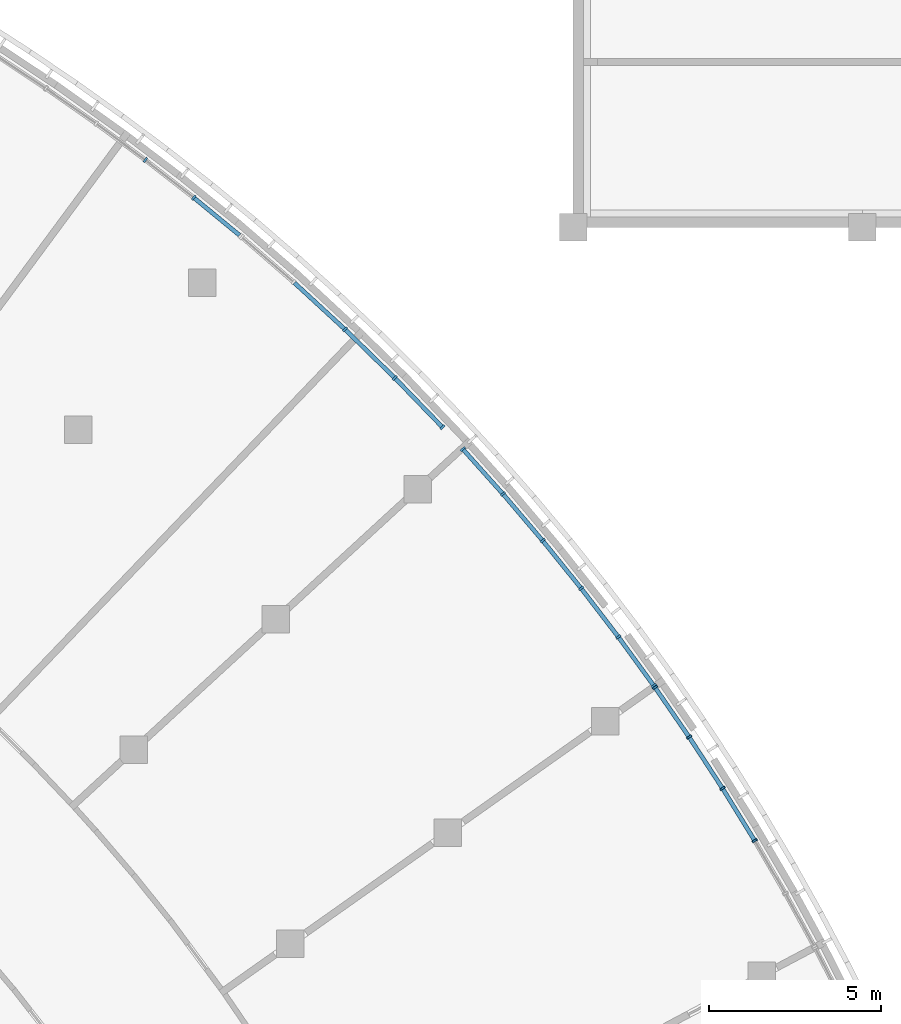
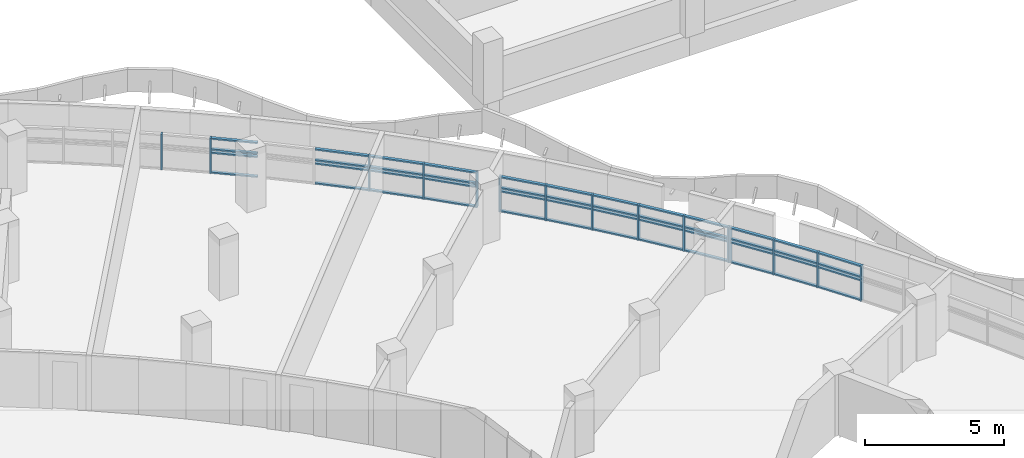
# One storey, part 22 of 89: 63 members, 4 elements without a shape of their own.
"""IFC4 building model written with IfcOpenShell, lengths in metres."""

from ifc_helpers import new_model, si_unit, direction, frame, origin, origin_2d, place, context, subcontext, project, spatial, rectangle, extrude, material, material_profile, profile_set, type_object, element, aggregate, save


model = new_model("IFC4")

# Units and contexts
model_context = context("Model", 3, precision=1e-05, world=origin(), true_north=direction((0.0, 1.0)))
body_context = subcontext(model_context, "Body", "Model", "MODEL_VIEW")
ifc_project = project(units=[si_unit("LENGTHUNIT", "METRE"), si_unit("AREAUNIT", "SQUARE_METRE"), si_unit("VOLUMEUNIT", "CUBIC_METRE"), si_unit("PLANEANGLEUNIT", "RADIAN"), si_unit("MASSUNIT", "GRAM", prefix="KILO")], contexts=[model_context])

# Site, building, storey
site_placement = place(None, origin())
site = spatial("IfcSite", under=ifc_project, at=site_placement, CompositionType="ELEMENT")
building_placement = place(site_placement, origin())
building = spatial("IfcBuilding", under=site, at=building_placement, Name="Bougainvillea Quay General Hospital", CompositionType="ELEMENT")
storey_placement = place(building_placement, frame((0.0, 0.0, 9.89990234375)))
storey = spatial("IfcBuildingStorey", under=building, at=storey_placement, Name="L01M", CompositionType="ELEMENT", Elevation=9.89990234375)

# Curtain wall, members
ifc_material_1 = material(Name="Aluminium curtain wall system, powder-coated glazed", Category="aluminium")
curtain_wall_type = type_object("IfcCurtainWallType", Name="Unitised curtain wall CW-2100", PredefinedType="NOTDEFINED", material=ifc_material_1)
curtain_wall_1_placement = place(storey_placement, origin())
curtain_wall_1 = element("IfcCurtainWall", 1, at=curtain_wall_1_placement, inside=storey, type_object=curtain_wall_type, Name="CW-E02 a10b1", PredefinedType="NOTDEFINED")
ifc_material_2 = material(Name="Aluminium mullion, powder-coated charcoal", Category="aluminium")
ifc_material_profile_1 = material_profile(ifc_material_2, rectangle(XDim=0.159912109375, YDim=0.06005859375, at=origin_2d()))
ifc_profile_set_1 = profile_set([ifc_material_profile_1], Name="Aluminium mullion, powder-coated charcoal")
member_type_1 = type_object("IfcMemberType", Name="Curtain wall mullion 160x60", PredefinedType="MULLION", material=ifc_profile_set_1)
member_1_placement = place(storey_placement, frame((151.3701171875, 77.558837890625, 0.0), z_axis=(0.0, 0.0, 1.0), x_axis=(0.604587993148, 0.796538359743, 0.0)))
member_1 = element("IfcMember", 2, at=member_1_placement, type_object=member_type_1, Name="CW-E02 mullion 4", PredefinedType="MULLION", context=body_context, shape_type="SweptSolid", body=[
    extrude(rectangle(XDim=0.159912109375, YDim=0.06005859375, at=origin_2d()), origin(), (0.0, 0.0, 1.0), 1.550048828125),
])
member_2_placement = place(storey_placement, frame((152.7744140625, 76.46435546875, 0.0), z_axis=(0.0, 0.0, 1.0), x_axis=(0.624719466473, 0.780849273682, 0.0)))
member_2 = element("IfcMember", 3, at=member_2_placement, type_object=member_type_1, Name="CW-E02 mullion 5", PredefinedType="MULLION", context=body_context, shape_type="SweptSolid", body=[
    extrude(rectangle(XDim=0.159912109375, YDim=0.06005859375, at=origin_2d()), origin(), (0.0, 0.0, 1.0), 1.550048828125),
])

curtain_wall_2_placement = place(storey_placement, origin())
curtain_wall_2 = element("IfcCurtainWall", 4, at=curtain_wall_2_placement, inside=storey, type_object=curtain_wall_type, Name="CW-E03 a10b2", PredefinedType="NOTDEFINED")
member_3_placement = place(storey_placement, frame((157.167236328125, 72.638427734375, 0.0), z_axis=(0.0, 0.0, 1.0), x_axis=(0.68769902724, 0.725995900769, 0.0)))
member_3 = element("IfcMember", 5, at=member_3_placement, type_object=member_type_1, Name="CW-E03 mullion 3", PredefinedType="MULLION", context=body_context, shape_type="SweptSolid", body=[
    extrude(rectangle(XDim=0.159912109375, YDim=0.06005859375, at=origin_2d()), origin(), (0.0, 0.0, 1.0), 1.550048828125),
])
member_4_placement = place(storey_placement, frame((158.61572265625, 71.225830078125, 0.0), z_axis=(0.0, 0.0, 1.0), x_axis=(0.708467492341, 0.705743446513, 0.0)))
member_4 = element("IfcMember", 6, at=member_4_placement, type_object=member_type_1, Name="CW-E03 mullion 4", PredefinedType="MULLION", context=body_context, shape_type="SweptSolid", body=[
    extrude(rectangle(XDim=0.159912109375, YDim=0.06005859375, at=origin_2d()), origin(), (0.0, 0.0, 1.0), 1.550048828125),
])
member_5_placement = place(storey_placement, frame((160.001953125, 69.793212890625, 0.0), z_axis=(0.0, 0.0, 1.0), x_axis=(0.718629234351, 0.695393430754, 0.0)))
member_5 = element("IfcMember", 7, at=member_5_placement, type_object=member_type_1, Name="CW-E03 mullion 5", PredefinedType="MULLION", context=body_context, shape_type="SweptSolid", body=[
    extrude(rectangle(XDim=0.159912109375, YDim=0.06005859375, at=origin_2d()), origin(), (0.0, 0.0, 1.0), 1.550048828125),
])

curtain_wall_3_placement = place(storey_placement, origin())
curtain_wall_3 = element("IfcCurtainWall", 8, at=curtain_wall_3_placement, inside=storey, type_object=curtain_wall_type, Name="CW-E04 a14b3", PredefinedType="NOTDEFINED")
member_6_placement = place(storey_placement, frame((160.5927734375, 69.15771484375, 0.0), z_axis=(0.0, 0.0, 1.0), x_axis=(0.745094309044, 0.666959122159, 0.0)))
member_6 = element("IfcMember", 9, at=member_6_placement, type_object=member_type_1, Name="CW-E04 mullion 1", PredefinedType="MULLION", context=body_context, shape_type="SweptSolid", body=[
    extrude(rectangle(XDim=0.159912109375, YDim=0.06005859375, at=origin_2d()), origin(), (0.0, 0.0, 1.0), 1.550048828125),
])
member_7_placement = place(storey_placement, frame((161.760009765625, 67.853759765625, 0.0), z_axis=(0.0, 0.0, 1.0), x_axis=(0.753545034628, 0.657396288997, 0.0)))
member_7 = element("IfcMember", 10, at=member_7_placement, type_object=member_type_1, Name="CW-E04 mullion 2", PredefinedType="MULLION", context=body_context, shape_type="SweptSolid", body=[
    extrude(rectangle(XDim=0.159912109375, YDim=0.06005859375, at=origin_2d()), origin(), (0.0, 0.0, 1.0), 1.550048828125),
])
member_8_placement = place(storey_placement, frame((162.913330078125, 66.497314453125, 0.0), z_axis=(0.0, 0.0, 1.0), x_axis=(0.7700769567, 0.637951001849, 0.0)))
member_8 = element("IfcMember", 11, at=member_8_placement, type_object=member_type_1, Name="CW-E04 mullion 3", PredefinedType="MULLION", context=body_context, shape_type="SweptSolid", body=[
    extrude(rectangle(XDim=0.159912109375, YDim=0.06005859375, at=origin_2d()), origin(), (0.0, 0.0, 1.0), 1.550048828125),
])
member_9_placement = place(storey_placement, frame((164.03125, 65.112060546875, 0.0), z_axis=(0.0, 0.0, 1.0), x_axis=(0.786107232438, 0.618090138337, 0.0)))
member_9 = element("IfcMember", 12, at=member_9_placement, type_object=member_type_1, Name="CW-E04 mullion 4", PredefinedType="MULLION", context=body_context, shape_type="SweptSolid", body=[
    extrude(rectangle(XDim=0.159912109375, YDim=0.06005859375, at=origin_2d()), origin(), (0.0, 0.0, 1.0), 1.550048828125),
])
member_10_placement = place(storey_placement, frame((165.11376953125, 63.69873046875, 0.0), z_axis=(0.0, 0.0, 1.0), x_axis=(0.801625419341, 0.597826636297, 0.0)))
member_10 = element("IfcMember", 13, at=member_10_placement, type_object=member_type_1, Name="CW-E04 mullion 5", PredefinedType="MULLION", context=body_context, shape_type="SweptSolid", body=[
    extrude(rectangle(XDim=0.159912109375, YDim=0.06005859375, at=origin_2d()), origin(), (0.0, 0.0, 1.0), 1.550048828125),
])
member_11_placement = place(storey_placement, frame((166.14208984375, 62.282470703125, 0.0), z_axis=(0.0, 0.0, 1.0), x_axis=(0.809189307232, 0.587548010856, 0.0)))
member_11 = element("IfcMember", 14, at=member_11_placement, type_object=member_type_1, Name="CW-E04 mullion 6", PredefinedType="MULLION", context=body_context, shape_type="SweptSolid", body=[
    extrude(rectangle(XDim=0.159912109375, YDim=0.06005859375, at=origin_2d()), origin(), (0.0, 0.0, 1.0), 1.550048828125),
])

curtain_wall_4_placement = place(storey_placement, origin())
curtain_wall_4 = element("IfcCurtainWall", 15, at=curtain_wall_4_placement, inside=storey, type_object=curtain_wall_type, Name="CW-E05 a14b4", PredefinedType="NOTDEFINED")
member_12_placement = place(storey_placement, frame((166.1767578125, 62.2333984375, 0.0), z_axis=(0.0, 0.0, 1.0), x_axis=(0.823920512723, 0.566705380876, 0.0)))
member_12 = element("IfcMember", 16, at=member_12_placement, type_object=member_type_1, Name="CW-E05 mullion 1", PredefinedType="MULLION", context=body_context, shape_type="SweptSolid", body=[
    extrude(rectangle(XDim=0.159912109375, YDim=0.06005859375, at=origin_2d()), origin(), (0.0, 0.0, 1.0), 1.550048828125),
])
member_13_placement = place(storey_placement, frame((167.168701171875, 60.791259765625, 0.0), z_axis=(0.0, 0.0, 1.0), x_axis=(0.831085431161, 0.556144770821, 0.0)))
member_13 = element("IfcMember", 17, at=member_13_placement, type_object=member_type_1, Name="CW-E05 mullion 2", PredefinedType="MULLION", context=body_context, shape_type="SweptSolid", body=[
    extrude(rectangle(XDim=0.159912109375, YDim=0.06005859375, at=origin_2d()), origin(), (0.0, 0.0, 1.0), 1.550048828125),
])
member_14_placement = place(storey_placement, frame((168.1396484375, 59.29931640625, 0.0), z_axis=(0.0, 0.0, 1.0), x_axis=(0.84500806513, 0.534753559937, 0.0)))
member_14 = element("IfcMember", 18, at=member_14_placement, type_object=member_type_1, Name="CW-E05 mullion 3", PredefinedType="MULLION", context=body_context, shape_type="SweptSolid", body=[
    extrude(rectangle(XDim=0.159912109375, YDim=0.06005859375, at=origin_2d()), origin(), (0.0, 0.0, 1.0), 1.550048828125),
])
member_15_placement = place(storey_placement, frame((169.072509765625, 57.782958984375, 0.0), z_axis=(0.0, 0.0, 1.0), x_axis=(0.858380240869, 0.513013997943, 0.0)))
member_15 = element("IfcMember", 19, at=member_15_placement, type_object=member_type_1, Name="CW-E05 mullion 4", PredefinedType="MULLION", context=body_context, shape_type="SweptSolid", body=[
    extrude(rectangle(XDim=0.159912109375, YDim=0.06005859375, at=origin_2d()), origin(), (0.0, 0.0, 1.0), 1.550048828125),
])

# Member
ifc_material_3 = material(Name="Aluminium transom, powder-coated charcoal", Category="aluminium")
ifc_material_profile_2 = material_profile(ifc_material_3, rectangle(XDim=0.1201171875, YDim=0.06005859375, at=origin_2d()))
ifc_profile_set_2 = profile_set([ifc_material_profile_2], Name="Aluminium transom, powder-coated charcoal")
member_type_2 = type_object("IfcMemberType", Name="Curtain wall transom 120x60", PredefinedType="USERDEFINED", material=ifc_profile_set_2)
member_16_placement = place(storey_placement, frame((152.797607421875, 76.4453125, 0.030029296875), z_axis=(0.772842642941, -0.634597706624, 0.0), x_axis=(0.634597706624, 0.772842642941, 0.0)))
member_16 = element("IfcMember", 20, at=member_16_placement, type_object=member_type_2, Name="CW-E02 transom 5.1", ObjectType="TRANSOM", PredefinedType="USERDEFINED", context=body_context, shape_type="SweptSolid", body=[
    extrude(rectangle(XDim=0.1201171875, YDim=0.06005859375, at=origin_2d()), origin(), (0.0, 0.0, 1.0), 1.68994140625),
])

member_17_placement = place(storey_placement, frame((152.797607421875, 76.4453125, 0.900146484375), z_axis=(0.772842642941, -0.634597706624, 0.0), x_axis=(0.634597706624, 0.772842642941, 0.0)))
member_17 = element("IfcMember", 21, at=member_17_placement, type_object=member_type_2, Name="CW-E02 transom 5.2", ObjectType="TRANSOM", PredefinedType="USERDEFINED", context=body_context, shape_type="SweptSolid", body=[
    extrude(rectangle(XDim=0.1201171875, YDim=0.06005859375, at=origin_2d()), origin(), (0.0, 0.0, 1.0), 1.68994140625),
])

member_18_placement = place(storey_placement, frame((152.797607421875, 76.4453125, 1.050048828125), z_axis=(0.772842642941, -0.634597706624, 0.0), x_axis=(0.634597706624, 0.772842642941, 0.0)))
member_18 = element("IfcMember", 22, at=member_18_placement, type_object=member_type_2, Name="CW-E02 transom 5.3", ObjectType="TRANSOM", PredefinedType="USERDEFINED", context=body_context, shape_type="SweptSolid", body=[
    extrude(rectangle(XDim=0.1201171875, YDim=0.06005859375, at=origin_2d()), origin(), (0.0, 0.0, 1.0), 1.68994140625),
])

member_19_placement = place(storey_placement, frame((152.797607421875, 76.4453125, 1.52001953125), z_axis=(0.772842642941, -0.634597706624, 0.0), x_axis=(0.634597706624, 0.772842642941, 0.0)))
member_19 = element("IfcMember", 23, at=member_19_placement, type_object=member_type_2, Name="CW-E02 transom 5.4", ObjectType="TRANSOM", PredefinedType="USERDEFINED", context=body_context, shape_type="SweptSolid", body=[
    extrude(rectangle(XDim=0.1201171875, YDim=0.06005859375, at=origin_2d()), origin(), (0.0, 0.0, 1.0), 1.68994140625),
])

aggregate(curtain_wall_1, [member_1, member_2, member_16, member_17, member_18, member_19])

member_20_placement = place(storey_placement, frame((155.7001953125, 73.988037109375, 0.030029296875), z_axis=(0.735903748974, -0.677086163089, 0.0), x_axis=(0.677086163089, 0.735903748974, 0.0)))
member_20 = element("IfcMember", 24, at=member_20_placement, type_object=member_type_2, Name="CW-E03 transom 2.1", ObjectType="TRANSOM", PredefinedType="USERDEFINED", context=body_context, shape_type="SweptSolid", body=[
    extrude(rectangle(XDim=0.1201171875, YDim=0.06005859375, at=origin_2d()), origin(), (0.0, 0.0, 1.0), 1.96337890625),
])

member_21_placement = place(storey_placement, frame((155.7001953125, 73.988037109375, 0.900146484375), z_axis=(0.735903748974, -0.677086163089, 0.0), x_axis=(0.677086163089, 0.735903748974, 0.0)))
member_21 = element("IfcMember", 25, at=member_21_placement, type_object=member_type_2, Name="CW-E03 transom 2.2", ObjectType="TRANSOM", PredefinedType="USERDEFINED", context=body_context, shape_type="SweptSolid", body=[
    extrude(rectangle(XDim=0.1201171875, YDim=0.06005859375, at=origin_2d()), origin(), (0.0, 0.0, 1.0), 1.96337890625),
])

member_22_placement = place(storey_placement, frame((155.7001953125, 73.988037109375, 1.050048828125), z_axis=(0.735903748974, -0.677086163089, 0.0), x_axis=(0.677086163089, 0.735903748974, 0.0)))
member_22 = element("IfcMember", 26, at=member_22_placement, type_object=member_type_2, Name="CW-E03 transom 2.3", ObjectType="TRANSOM", PredefinedType="USERDEFINED", context=body_context, shape_type="SweptSolid", body=[
    extrude(rectangle(XDim=0.1201171875, YDim=0.06005859375, at=origin_2d()), origin(), (0.0, 0.0, 1.0), 1.96337890625),
])

member_23_placement = place(storey_placement, frame((155.7001953125, 73.988037109375, 1.52001953125), z_axis=(0.735903748974, -0.677086163089, 0.0), x_axis=(0.677086163089, 0.735903748974, 0.0)))
member_23 = element("IfcMember", 27, at=member_23_placement, type_object=member_type_2, Name="CW-E03 transom 2.4", ObjectType="TRANSOM", PredefinedType="USERDEFINED", context=body_context, shape_type="SweptSolid", body=[
    extrude(rectangle(XDim=0.1201171875, YDim=0.06005859375, at=origin_2d()), origin(), (0.0, 0.0, 1.0), 1.96337890625),
])

member_24_placement = place(storey_placement, frame((157.188720703125, 72.617431640625, 0.030029296875), z_axis=(0.71594263895, -0.698159106317, 0.0), x_axis=(0.698159106317, 0.71594263895, 0.0)))
member_24 = element("IfcMember", 28, at=member_24_placement, type_object=member_type_2, Name="CW-E03 transom 3.1", ObjectType="TRANSOM", PredefinedType="USERDEFINED", context=body_context, shape_type="SweptSolid", body=[
    extrude(rectangle(XDim=0.1201171875, YDim=0.06005859375, at=origin_2d()), origin(), (0.0, 0.0, 1.0), 1.963134765625),
])

member_25_placement = place(storey_placement, frame((157.188720703125, 72.617431640625, 0.900146484375), z_axis=(0.71594263895, -0.698159106317, 0.0), x_axis=(0.698159106317, 0.71594263895, 0.0)))
member_25 = element("IfcMember", 29, at=member_25_placement, type_object=member_type_2, Name="CW-E03 transom 3.2", ObjectType="TRANSOM", PredefinedType="USERDEFINED", context=body_context, shape_type="SweptSolid", body=[
    extrude(rectangle(XDim=0.1201171875, YDim=0.06005859375, at=origin_2d()), origin(), (0.0, 0.0, 1.0), 1.963134765625),
])

member_26_placement = place(storey_placement, frame((157.188720703125, 72.617431640625, 1.050048828125), z_axis=(0.71594263895, -0.698159106317, 0.0), x_axis=(0.698159106317, 0.71594263895, 0.0)))
member_26 = element("IfcMember", 30, at=member_26_placement, type_object=member_type_2, Name="CW-E03 transom 3.3", ObjectType="TRANSOM", PredefinedType="USERDEFINED", context=body_context, shape_type="SweptSolid", body=[
    extrude(rectangle(XDim=0.1201171875, YDim=0.06005859375, at=origin_2d()), origin(), (0.0, 0.0, 1.0), 1.963134765625),
])

member_27_placement = place(storey_placement, frame((157.188720703125, 72.617431640625, 1.52001953125), z_axis=(0.71594263895, -0.698159106317, 0.0), x_axis=(0.698159106317, 0.71594263895, 0.0)))
member_27 = element("IfcMember", 31, at=member_27_placement, type_object=member_type_2, Name="CW-E03 transom 3.4", ObjectType="TRANSOM", PredefinedType="USERDEFINED", context=body_context, shape_type="SweptSolid", body=[
    extrude(rectangle(XDim=0.1201171875, YDim=0.06005859375, at=origin_2d()), origin(), (0.0, 0.0, 1.0), 1.963134765625),
])

member_28_placement = place(storey_placement, frame((158.63671875, 71.204345703125, 0.030029296875), z_axis=(0.695394082223, -0.718628603946, 0.0), x_axis=(0.718628603946, 0.695394082223, 0.0)))
member_28 = element("IfcMember", 32, at=member_28_placement, type_object=member_type_2, Name="CW-E03 transom 4.1", ObjectType="TRANSOM", PredefinedType="USERDEFINED", context=body_context, shape_type="SweptSolid", body=[
    extrude(rectangle(XDim=0.1201171875, YDim=0.06005859375, at=origin_2d()), origin(), (0.0, 0.0, 1.0), 1.933349609375),
])

member_29_placement = place(storey_placement, frame((158.63671875, 71.204345703125, 0.900146484375), z_axis=(0.695394082223, -0.718628603946, 0.0), x_axis=(0.718628603946, 0.695394082223, 0.0)))
member_29 = element("IfcMember", 33, at=member_29_placement, type_object=member_type_2, Name="CW-E03 transom 4.2", ObjectType="TRANSOM", PredefinedType="USERDEFINED", context=body_context, shape_type="SweptSolid", body=[
    extrude(rectangle(XDim=0.1201171875, YDim=0.06005859375, at=origin_2d()), origin(), (0.0, 0.0, 1.0), 1.933349609375),
])

member_30_placement = place(storey_placement, frame((158.63671875, 71.204345703125, 1.050048828125), z_axis=(0.695394082223, -0.718628603946, 0.0), x_axis=(0.718628603946, 0.695394082223, 0.0)))
member_30 = element("IfcMember", 34, at=member_30_placement, type_object=member_type_2, Name="CW-E03 transom 4.3", ObjectType="TRANSOM", PredefinedType="USERDEFINED", context=body_context, shape_type="SweptSolid", body=[
    extrude(rectangle(XDim=0.1201171875, YDim=0.06005859375, at=origin_2d()), origin(), (0.0, 0.0, 1.0), 1.933349609375),
])

member_31_placement = place(storey_placement, frame((158.63671875, 71.204345703125, 1.52001953125), z_axis=(0.695394082223, -0.718628603946, 0.0), x_axis=(0.718628603946, 0.695394082223, 0.0)))
member_31 = element("IfcMember", 35, at=member_31_placement, type_object=member_type_2, Name="CW-E03 transom 4.4", ObjectType="TRANSOM", PredefinedType="USERDEFINED", context=body_context, shape_type="SweptSolid", body=[
    extrude(rectangle(XDim=0.1201171875, YDim=0.06005859375, at=origin_2d()), origin(), (0.0, 0.0, 1.0), 1.933349609375),
])

aggregate(curtain_wall_2, [member_3, member_4, member_5, member_20, member_21, member_22, member_23, member_24, member_25, member_26, member_27, member_28, member_29, member_30, member_31])

member_32_placement = place(storey_placement, frame((160.61279296875, 69.135498046875, 0.030029296875), z_axis=(0.666879297012, -0.745165755531, 0.0), x_axis=(0.745165755531, 0.666879297012, 0.0)))
member_32 = element("IfcMember", 36, at=member_32_placement, type_object=member_type_2, Name="CW-E04 transom 1.1", ObjectType="TRANSOM", PredefinedType="USERDEFINED", context=body_context, shape_type="SweptSolid", body=[
    extrude(rectangle(XDim=0.1201171875, YDim=0.06005859375, at=origin_2d()), origin(), (0.0, 0.0, 1.0), 1.690185546875),
])

member_33_placement = place(storey_placement, frame((160.61279296875, 69.135498046875, 0.900146484375), z_axis=(0.666879297012, -0.745165755531, 0.0), x_axis=(0.745165755531, 0.666879297012, 0.0)))
member_33 = element("IfcMember", 37, at=member_33_placement, type_object=member_type_2, Name="CW-E04 transom 1.2", ObjectType="TRANSOM", PredefinedType="USERDEFINED", context=body_context, shape_type="SweptSolid", body=[
    extrude(rectangle(XDim=0.1201171875, YDim=0.06005859375, at=origin_2d()), origin(), (0.0, 0.0, 1.0), 1.690185546875),
])

member_34_placement = place(storey_placement, frame((160.61279296875, 69.135498046875, 1.050048828125), z_axis=(0.666879297012, -0.745165755531, 0.0), x_axis=(0.745165755531, 0.666879297012, 0.0)))
member_34 = element("IfcMember", 38, at=member_34_placement, type_object=member_type_2, Name="CW-E04 transom 1.3", ObjectType="TRANSOM", PredefinedType="USERDEFINED", context=body_context, shape_type="SweptSolid", body=[
    extrude(rectangle(XDim=0.1201171875, YDim=0.06005859375, at=origin_2d()), origin(), (0.0, 0.0, 1.0), 1.690185546875),
])

member_35_placement = place(storey_placement, frame((160.61279296875, 69.135498046875, 1.52001953125), z_axis=(0.666879297012, -0.745165755531, 0.0), x_axis=(0.745165755531, 0.666879297012, 0.0)))
member_35 = element("IfcMember", 39, at=member_35_placement, type_object=member_type_2, Name="CW-E04 transom 1.4", ObjectType="TRANSOM", PredefinedType="USERDEFINED", context=body_context, shape_type="SweptSolid", body=[
    extrude(rectangle(XDim=0.1201171875, YDim=0.06005859375, at=origin_2d()), origin(), (0.0, 0.0, 1.0), 1.690185546875),
])

member_36_placement = place(storey_placement, frame((161.779541015625, 67.830810546875, 0.030029296875), z_axis=(0.647747288615, -0.761855268468, 0.0), x_axis=(0.761855268468, 0.647747288615, 0.0)))
member_36 = element("IfcMember", 40, at=member_36_placement, type_object=member_type_2, Name="CW-E04 transom 2.1", ObjectType="TRANSOM", PredefinedType="USERDEFINED", context=body_context, shape_type="SweptSolid", body=[
    extrude(rectangle(XDim=0.1201171875, YDim=0.06005859375, at=origin_2d()), origin(), (0.0, 0.0, 1.0), 1.72021484375),
])

member_37_placement = place(storey_placement, frame((161.779541015625, 67.830810546875, 0.900146484375), z_axis=(0.647747288615, -0.761855268468, 0.0), x_axis=(0.761855268468, 0.647747288615, 0.0)))
member_37 = element("IfcMember", 41, at=member_37_placement, type_object=member_type_2, Name="CW-E04 transom 2.2", ObjectType="TRANSOM", PredefinedType="USERDEFINED", context=body_context, shape_type="SweptSolid", body=[
    extrude(rectangle(XDim=0.1201171875, YDim=0.06005859375, at=origin_2d()), origin(), (0.0, 0.0, 1.0), 1.72021484375),
])

member_38_placement = place(storey_placement, frame((161.779541015625, 67.830810546875, 1.050048828125), z_axis=(0.647747288615, -0.761855268468, 0.0), x_axis=(0.761855268468, 0.647747288615, 0.0)))
member_38 = element("IfcMember", 42, at=member_38_placement, type_object=member_type_2, Name="CW-E04 transom 2.3", ObjectType="TRANSOM", PredefinedType="USERDEFINED", context=body_context, shape_type="SweptSolid", body=[
    extrude(rectangle(XDim=0.1201171875, YDim=0.06005859375, at=origin_2d()), origin(), (0.0, 0.0, 1.0), 1.72021484375),
])

member_39_placement = place(storey_placement, frame((161.779541015625, 67.830810546875, 1.52001953125), z_axis=(0.647747288615, -0.761855268468, 0.0), x_axis=(0.761855268468, 0.647747288615, 0.0)))
member_39 = element("IfcMember", 43, at=member_39_placement, type_object=member_type_2, Name="CW-E04 transom 2.4", ObjectType="TRANSOM", PredefinedType="USERDEFINED", context=body_context, shape_type="SweptSolid", body=[
    extrude(rectangle(XDim=0.1201171875, YDim=0.06005859375, at=origin_2d()), origin(), (0.0, 0.0, 1.0), 1.72021484375),
])

member_40_placement = place(storey_placement, frame((162.93212890625, 66.47412109375, 0.030029296875), z_axis=(0.628029823491, -0.778189270554, 0.0), x_axis=(0.778189270554, 0.628029823491, 0.0)))
member_40 = element("IfcMember", 44, at=member_40_placement, type_object=member_type_2, Name="CW-E04 transom 3.1", ObjectType="TRANSOM", PredefinedType="USERDEFINED", context=body_context, shape_type="SweptSolid", body=[
    extrude(rectangle(XDim=0.1201171875, YDim=0.06005859375, at=origin_2d()), origin(), (0.0, 0.0, 1.0), 1.72021484375),
])

member_41_placement = place(storey_placement, frame((162.93212890625, 66.47412109375, 0.900146484375), z_axis=(0.628029823491, -0.778189270554, 0.0), x_axis=(0.778189270554, 0.628029823491, 0.0)))
member_41 = element("IfcMember", 45, at=member_41_placement, type_object=member_type_2, Name="CW-E04 transom 3.2", ObjectType="TRANSOM", PredefinedType="USERDEFINED", context=body_context, shape_type="SweptSolid", body=[
    extrude(rectangle(XDim=0.1201171875, YDim=0.06005859375, at=origin_2d()), origin(), (0.0, 0.0, 1.0), 1.72021484375),
])

member_42_placement = place(storey_placement, frame((162.93212890625, 66.47412109375, 1.050048828125), z_axis=(0.628029823491, -0.778189270554, 0.0), x_axis=(0.778189270554, 0.628029823491, 0.0)))
member_42 = element("IfcMember", 46, at=member_42_placement, type_object=member_type_2, Name="CW-E04 transom 3.3", ObjectType="TRANSOM", PredefinedType="USERDEFINED", context=body_context, shape_type="SweptSolid", body=[
    extrude(rectangle(XDim=0.1201171875, YDim=0.06005859375, at=origin_2d()), origin(), (0.0, 0.0, 1.0), 1.72021484375),
])

member_43_placement = place(storey_placement, frame((162.93212890625, 66.47412109375, 1.52001953125), z_axis=(0.628029823491, -0.778189270554, 0.0), x_axis=(0.778189270554, 0.628029823491, 0.0)))
member_43 = element("IfcMember", 47, at=member_43_placement, type_object=member_type_2, Name="CW-E04 transom 3.4", ObjectType="TRANSOM", PredefinedType="USERDEFINED", context=body_context, shape_type="SweptSolid", body=[
    extrude(rectangle(XDim=0.1201171875, YDim=0.06005859375, at=origin_2d()), origin(), (0.0, 0.0, 1.0), 1.72021484375),
])

member_44_placement = place(storey_placement, frame((164.049560546875, 65.08837890625, 0.030029296875), z_axis=(0.607939858347, -0.793983078304, 0.0), x_axis=(0.793983078304, 0.607939858347, 0.0)))
member_44 = element("IfcMember", 48, at=member_44_placement, type_object=member_type_2, Name="CW-E04 transom 4.1", ObjectType="TRANSOM", PredefinedType="USERDEFINED", context=body_context, shape_type="SweptSolid", body=[
    extrude(rectangle(XDim=0.1201171875, YDim=0.06005859375, at=origin_2d()), origin(), (0.0, 0.0, 1.0), 1.720458984375),
])

member_45_placement = place(storey_placement, frame((164.049560546875, 65.08837890625, 0.900146484375), z_axis=(0.607939858347, -0.793983078304, 0.0), x_axis=(0.793983078304, 0.607939858347, 0.0)))
member_45 = element("IfcMember", 49, at=member_45_placement, type_object=member_type_2, Name="CW-E04 transom 4.2", ObjectType="TRANSOM", PredefinedType="USERDEFINED", context=body_context, shape_type="SweptSolid", body=[
    extrude(rectangle(XDim=0.1201171875, YDim=0.06005859375, at=origin_2d()), origin(), (0.0, 0.0, 1.0), 1.720458984375),
])

member_46_placement = place(storey_placement, frame((164.049560546875, 65.08837890625, 1.050048828125), z_axis=(0.607939858347, -0.793983078304, 0.0), x_axis=(0.793983078304, 0.607939858347, 0.0)))
member_46 = element("IfcMember", 50, at=member_46_placement, type_object=member_type_2, Name="CW-E04 transom 4.3", ObjectType="TRANSOM", PredefinedType="USERDEFINED", context=body_context, shape_type="SweptSolid", body=[
    extrude(rectangle(XDim=0.1201171875, YDim=0.06005859375, at=origin_2d()), origin(), (0.0, 0.0, 1.0), 1.720458984375),
])

member_47_placement = place(storey_placement, frame((164.049560546875, 65.08837890625, 1.52001953125), z_axis=(0.607939858347, -0.793983078304, 0.0), x_axis=(0.793983078304, 0.607939858347, 0.0)))
member_47 = element("IfcMember", 51, at=member_47_placement, type_object=member_type_2, Name="CW-E04 transom 4.4", ObjectType="TRANSOM", PredefinedType="USERDEFINED", context=body_context, shape_type="SweptSolid", body=[
    extrude(rectangle(XDim=0.1201171875, YDim=0.06005859375, at=origin_2d()), origin(), (0.0, 0.0, 1.0), 1.720458984375),
])

member_48_placement = place(storey_placement, frame((165.13134765625, 63.67431640625, 0.030029296875), z_axis=(0.587587532685, -0.80916060917, 0.0), x_axis=(0.80916060917, 0.587587532685, 0.0)))
member_48 = element("IfcMember", 52, at=member_48_placement, type_object=member_type_2, Name="CW-E04 transom 5.1", ObjectType="TRANSOM", PredefinedType="USERDEFINED", context=body_context, shape_type="SweptSolid", body=[
    extrude(rectangle(XDim=0.1201171875, YDim=0.06005859375, at=origin_2d()), origin(), (0.0, 0.0, 1.0), 1.690185546875),
])

member_49_placement = place(storey_placement, frame((165.13134765625, 63.67431640625, 0.900146484375), z_axis=(0.587587532685, -0.80916060917, 0.0), x_axis=(0.80916060917, 0.587587532685, 0.0)))
member_49 = element("IfcMember", 53, at=member_49_placement, type_object=member_type_2, Name="CW-E04 transom 5.2", ObjectType="TRANSOM", PredefinedType="USERDEFINED", context=body_context, shape_type="SweptSolid", body=[
    extrude(rectangle(XDim=0.1201171875, YDim=0.06005859375, at=origin_2d()), origin(), (0.0, 0.0, 1.0), 1.690185546875),
])

member_50_placement = place(storey_placement, frame((165.13134765625, 63.67431640625, 1.050048828125), z_axis=(0.587587532685, -0.80916060917, 0.0), x_axis=(0.80916060917, 0.587587532685, 0.0)))
member_50 = element("IfcMember", 54, at=member_50_placement, type_object=member_type_2, Name="CW-E04 transom 5.3", ObjectType="TRANSOM", PredefinedType="USERDEFINED", context=body_context, shape_type="SweptSolid", body=[
    extrude(rectangle(XDim=0.1201171875, YDim=0.06005859375, at=origin_2d()), origin(), (0.0, 0.0, 1.0), 1.690185546875),
])

member_51_placement = place(storey_placement, frame((165.13134765625, 63.67431640625, 1.52001953125), z_axis=(0.587587532685, -0.80916060917, 0.0), x_axis=(0.80916060917, 0.587587532685, 0.0)))
member_51 = element("IfcMember", 55, at=member_51_placement, type_object=member_type_2, Name="CW-E04 transom 5.4", ObjectType="TRANSOM", PredefinedType="USERDEFINED", context=body_context, shape_type="SweptSolid", body=[
    extrude(rectangle(XDim=0.1201171875, YDim=0.06005859375, at=origin_2d()), origin(), (0.0, 0.0, 1.0), 1.690185546875),
])

aggregate(curtain_wall_3, [member_6, member_7, member_8, member_9, member_10, member_11, member_32, member_33, member_34, member_35, member_36, member_37, member_38, member_39, member_40, member_41, member_42, member_43, member_44, member_45, member_46, member_47, member_48, member_49, member_50, member_51])

member_52_placement = place(storey_placement, frame((166.19384765625, 62.208740234375, 0.030029296875), z_axis=(0.566675945588, -0.823940757999, 0.0), x_axis=(0.823940757999, 0.566675945588, 0.0)))
member_52 = element("IfcMember", 56, at=member_52_placement, type_object=member_type_2, Name="CW-E05 transom 1.1", ObjectType="TRANSOM", PredefinedType="USERDEFINED", context=body_context, shape_type="SweptSolid", body=[
    extrude(rectangle(XDim=0.1201171875, YDim=0.06005859375, at=origin_2d()), origin(), (0.0, 0.0, 1.0), 1.690185546875),
])

member_53_placement = place(storey_placement, frame((166.19384765625, 62.208740234375, 0.900146484375), z_axis=(0.566675945588, -0.823940757999, 0.0), x_axis=(0.823940757999, 0.566675945588, 0.0)))
member_53 = element("IfcMember", 57, at=member_53_placement, type_object=member_type_2, Name="CW-E05 transom 1.2", ObjectType="TRANSOM", PredefinedType="USERDEFINED", context=body_context, shape_type="SweptSolid", body=[
    extrude(rectangle(XDim=0.1201171875, YDim=0.06005859375, at=origin_2d()), origin(), (0.0, 0.0, 1.0), 1.690185546875),
])

member_54_placement = place(storey_placement, frame((166.19384765625, 62.208740234375, 1.050048828125), z_axis=(0.566675945588, -0.823940757999, 0.0), x_axis=(0.823940757999, 0.566675945588, 0.0)))
member_54 = element("IfcMember", 58, at=member_54_placement, type_object=member_type_2, Name="CW-E05 transom 1.3", ObjectType="TRANSOM", PredefinedType="USERDEFINED", context=body_context, shape_type="SweptSolid", body=[
    extrude(rectangle(XDim=0.1201171875, YDim=0.06005859375, at=origin_2d()), origin(), (0.0, 0.0, 1.0), 1.690185546875),
])

member_55_placement = place(storey_placement, frame((166.19384765625, 62.208740234375, 1.52001953125), z_axis=(0.566675945588, -0.823940757999, 0.0), x_axis=(0.823940757999, 0.566675945588, 0.0)))
member_55 = element("IfcMember", 59, at=member_55_placement, type_object=member_type_2, Name="CW-E05 transom 1.4", ObjectType="TRANSOM", PredefinedType="USERDEFINED", context=body_context, shape_type="SweptSolid", body=[
    extrude(rectangle(XDim=0.1201171875, YDim=0.06005859375, at=origin_2d()), origin(), (0.0, 0.0, 1.0), 1.690185546875),
])

member_56_placement = place(storey_placement, frame((167.18505859375, 60.76611328125, 0.030029296875), z_axis=(0.545462216901, -0.838135412647, 0.0), x_axis=(0.838135412647, 0.545462216901, 0.0)))
member_56 = element("IfcMember", 60, at=member_56_placement, type_object=member_type_2, Name="CW-E05 transom 2.1", ObjectType="TRANSOM", PredefinedType="USERDEFINED", context=body_context, shape_type="SweptSolid", body=[
    extrude(rectangle(XDim=0.1201171875, YDim=0.06005859375, at=origin_2d()), origin(), (0.0, 0.0, 1.0), 1.719970703125),
])

member_57_placement = place(storey_placement, frame((167.18505859375, 60.76611328125, 0.900146484375), z_axis=(0.545462216901, -0.838135412647, 0.0), x_axis=(0.838135412647, 0.545462216901, 0.0)))
member_57 = element("IfcMember", 61, at=member_57_placement, type_object=member_type_2, Name="CW-E05 transom 2.2", ObjectType="TRANSOM", PredefinedType="USERDEFINED", context=body_context, shape_type="SweptSolid", body=[
    extrude(rectangle(XDim=0.1201171875, YDim=0.06005859375, at=origin_2d()), origin(), (0.0, 0.0, 1.0), 1.719970703125),
])

member_58_placement = place(storey_placement, frame((167.18505859375, 60.76611328125, 1.050048828125), z_axis=(0.545462216901, -0.838135412647, 0.0), x_axis=(0.838135412647, 0.545462216901, 0.0)))
member_58 = element("IfcMember", 62, at=member_58_placement, type_object=member_type_2, Name="CW-E05 transom 2.3", ObjectType="TRANSOM", PredefinedType="USERDEFINED", context=body_context, shape_type="SweptSolid", body=[
    extrude(rectangle(XDim=0.1201171875, YDim=0.06005859375, at=origin_2d()), origin(), (0.0, 0.0, 1.0), 1.719970703125),
])

member_59_placement = place(storey_placement, frame((167.18505859375, 60.76611328125, 1.52001953125), z_axis=(0.545462216901, -0.838135412647, 0.0), x_axis=(0.838135412647, 0.545462216901, 0.0)))
member_59 = element("IfcMember", 63, at=member_59_placement, type_object=member_type_2, Name="CW-E05 transom 2.4", ObjectType="TRANSOM", PredefinedType="USERDEFINED", context=body_context, shape_type="SweptSolid", body=[
    extrude(rectangle(XDim=0.1201171875, YDim=0.06005859375, at=origin_2d()), origin(), (0.0, 0.0, 1.0), 1.719970703125),
])

member_60_placement = place(storey_placement, frame((168.155517578125, 59.273681640625, 0.030029296875), z_axis=(0.523899426945, -0.851780130343, 0.0), x_axis=(0.851780130343, 0.523899426945, 0.0)))
member_60 = element("IfcMember", 64, at=member_60_placement, type_object=member_type_2, Name="CW-E05 transom 3.1", ObjectType="TRANSOM", PredefinedType="USERDEFINED", context=body_context, shape_type="SweptSolid", body=[
    extrude(rectangle(XDim=0.1201171875, YDim=0.06005859375, at=origin_2d()), origin(), (0.0, 0.0, 1.0), 1.719970703125),
])

member_61_placement = place(storey_placement, frame((168.155517578125, 59.273681640625, 0.900146484375), z_axis=(0.523899426945, -0.851780130343, 0.0), x_axis=(0.851780130343, 0.523899426945, 0.0)))
member_61 = element("IfcMember", 65, at=member_61_placement, type_object=member_type_2, Name="CW-E05 transom 3.2", ObjectType="TRANSOM", PredefinedType="USERDEFINED", context=body_context, shape_type="SweptSolid", body=[
    extrude(rectangle(XDim=0.1201171875, YDim=0.06005859375, at=origin_2d()), origin(), (0.0, 0.0, 1.0), 1.719970703125),
])

member_62_placement = place(storey_placement, frame((168.155517578125, 59.273681640625, 1.050048828125), z_axis=(0.523899426945, -0.851780130343, 0.0), x_axis=(0.851780130343, 0.523899426945, 0.0)))
member_62 = element("IfcMember", 66, at=member_62_placement, type_object=member_type_2, Name="CW-E05 transom 3.3", ObjectType="TRANSOM", PredefinedType="USERDEFINED", context=body_context, shape_type="SweptSolid", body=[
    extrude(rectangle(XDim=0.1201171875, YDim=0.06005859375, at=origin_2d()), origin(), (0.0, 0.0, 1.0), 1.719970703125),
])

member_63_placement = place(storey_placement, frame((168.155517578125, 59.273681640625, 1.52001953125), z_axis=(0.523899426945, -0.851780130343, 0.0), x_axis=(0.851780130343, 0.523899426945, 0.0)))
member_63 = element("IfcMember", 67, at=member_63_placement, type_object=member_type_2, Name="CW-E05 transom 3.4", ObjectType="TRANSOM", PredefinedType="USERDEFINED", context=body_context, shape_type="SweptSolid", body=[
    extrude(rectangle(XDim=0.1201171875, YDim=0.06005859375, at=origin_2d()), origin(), (0.0, 0.0, 1.0), 1.719970703125),
])

aggregate(curtain_wall_4, [member_12, member_13, member_14, member_15, member_52, member_53, member_54, member_55, member_56, member_57, member_58, member_59, member_60, member_61, member_62, member_63])

save(model, "model.ifc")
